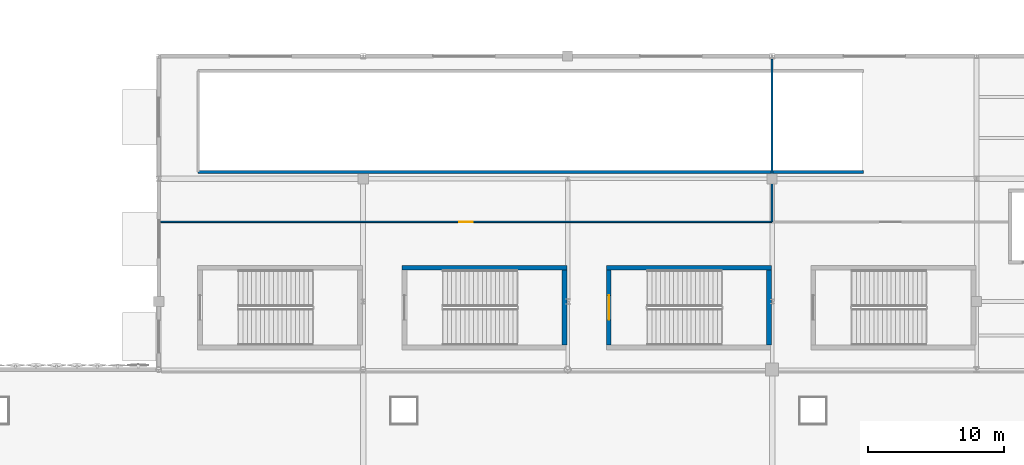
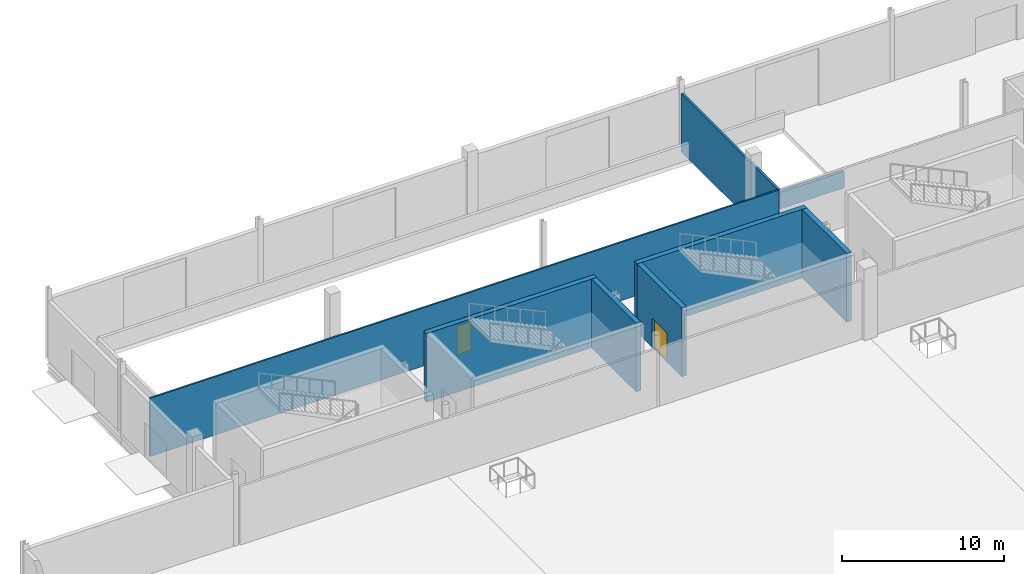
# One storey, part 56 of 94: 8 walls, 2 doors, 2 openings.
"""IFC4 building model written with IfcOpenShell, lengths in metres."""

from ifc_helpers import new_model, si_unit, direction, frame, frame_2d, origin, place, context, subcontext, project, spatial, rectangle, extrude, material, layer, layer_set, type_object, element, fill, save


model = new_model("IFC4")

# Units and contexts
model_context = context("Model", 3, precision=1e-05, world=origin(), true_north=direction((0.0, 1.0)))
body_context = subcontext(model_context, "Body", "Model", "MODEL_VIEW")
ifc_project = project(units=[si_unit("LENGTHUNIT", "METRE"), si_unit("AREAUNIT", "SQUARE_METRE"), si_unit("VOLUMEUNIT", "CUBIC_METRE"), si_unit("PLANEANGLEUNIT", "RADIAN"), si_unit("MASSUNIT", "GRAM", prefix="KILO")], contexts=[model_context])

# Site, building, storey
site_placement = place(None, origin())
site = spatial("IfcSite", under=ifc_project, at=site_placement, CompositionType="ELEMENT")
building_placement = place(site_placement, origin())
building = spatial("IfcBuilding", under=site, at=building_placement, Name="Qamarlyn Nura Convention Centre", CompositionType="ELEMENT")
storey_placement = place(building_placement, origin())
storey = spatial("IfcBuildingStorey", under=building, at=storey_placement, Name="L00", CompositionType="ELEMENT", Elevation=0.0)

# Walls
ifc_material_1 = material(Name="Concrete C50/60", Category="concrete")
ifc_layer_1 = layer(ifc_material_1, 0.35009765625, Name="WT-CORE-350")
ifc_layer_set_1 = layer_set([ifc_layer_1], Name="Concrete C50/60")
wall_type_1 = type_object("IfcWallType", Name="WT-CORE-350", PredefinedType="SHEAR", material=ifc_layer_set_1)
wall_1_placement = place(storey_placement, frame((44.949951171875, 110.47509765625, 0.0), z_axis=(0.0, 0.0, 1.0), x_axis=(-1.0, 0.0, 0.0)))
element("IfcWall", 1, at=wall_1_placement, inside=storey, type_object=wall_type_1, Name="L00 stair core shear wall ST-02-N", PredefinedType="SHEAR", context=body_context, shape_type="SweptSolid", body=[
    extrude(rectangle(XDim=12.099853515625, YDim=0.35009765625, at=frame_2d((6.0498046875, 0.0))), origin(), (0.0, 0.0, 1.0), 5.179931640625),
])
wall_2_placement = place(storey_placement, frame((44.77490234375, 104.800048828125, 0.0), z_axis=(0.0, 0.0, 1.0), x_axis=(0.0, 1.0, 0.0)))
element("IfcWall", 2, at=wall_2_placement, inside=storey, type_object=wall_type_1, Name="L00 stair core shear wall ST-02-E", PredefinedType="SHEAR", context=body_context, shape_type="SweptSolid", body=[
    extrude(rectangle(XDim=5.5, YDim=0.35009765625, at=frame_2d((2.75, 0.0))), origin(), (0.0, 0.0, 1.0), 5.179931640625),
])
wall_3_placement = place(storey_placement, frame((59.949951171875, 110.47509765625, 0.0), z_axis=(0.0, 0.0, 1.0), x_axis=(-1.0, 0.0, 0.0)))
element("IfcWall", 3, at=wall_3_placement, inside=storey, type_object=wall_type_1, Name="L00 stair core shear wall ST-03-N", PredefinedType="SHEAR", context=body_context, shape_type="SweptSolid", body=[
    extrude(rectangle(XDim=12.099853515625, YDim=0.35009765625, at=frame_2d((6.0498046875, 0.0))), origin(), (0.0, 0.0, 1.0), 5.179931640625),
])

# Wall, opening, door
wall_4_placement = place(storey_placement, frame((48.02490234375, 110.300048828125, 0.0), z_axis=(0.0, 0.0, 1.0), x_axis=(0.0, -1.0, 0.0)))
wall_4 = element("IfcWall", 4, at=wall_4_placement, inside=storey, type_object=wall_type_1, Name="L00 stair core shear wall ST-03-W", PredefinedType="SHEAR", context=body_context, shape_type="SweptSolid", body=[
    extrude(rectangle(XDim=5.5, YDim=0.35009765625, at=frame_2d((2.75, 0.0))), origin(), (0.0, 0.0, 1.0), 5.179931640625),
])
opening_1_placement = place(wall_4_placement, frame((1.85009765625, 0.0, 0.0)))
opening_1 = element("IfcOpeningElement", 5, at=opening_1_placement, cuts=wall_4, Name="Opening DS-008", PredefinedType="OPENING", context=body_context, shape_type="SweptSolid", body=[
    extrude(rectangle(XDim=1.800048828125, YDim=2.199951171875, at=frame_2d((0.89990234375, 1.10009765625))), frame((0.0, 0.18505859375, 0.0), z_axis=(0.0, -1.0, 0.0), x_axis=(1.0, 0.0, 0.0)), (0.0, 0.0, 1.0), 0.3701171875),
])
ifc_material_2 = material(Name="Galvanised fire-rated hollow steel door", Category="steel")
door_type_1 = type_object("IfcDoorType", Name="DR-STAIR-1800", OperationType="DOUBLE_DOOR_SINGLE_SWING", PredefinedType="DOOR", material=ifc_material_2)
door_1_placement = place(opening_1_placement, origin())
door_1 = element("IfcDoor", 6, at=door_1_placement, inside=storey, type_object=door_type_1, Name="L00 exit stair door ST-03 (DS-008)", OperationType="DOUBLE_DOOR_SINGLE_SWING", OverallHeight=2.199951171875, OverallWidth=1.800048828125, PredefinedType="DOOR", context=body_context, shape_type="SweptSolid", body=[
    extrude(rectangle(XDim=1.800048828125, YDim=2.199951171875, at=frame_2d((0.89990234375, 1.10009765625))), frame((0.0, 0.02490234375, 0.0), z_axis=(0.0, -1.0, 0.0), x_axis=(1.0, 0.0, 0.0)), (0.0, 0.0, 1.0), 0.050048828125),
])
fill(opening_1, door_1)

# Walls
wall_5_placement = place(storey_placement, frame((59.77490234375, 104.800048828125, 0.0), z_axis=(0.0, 0.0, 1.0), x_axis=(0.0, 1.0, 0.0)))
element("IfcWall", 7, at=wall_5_placement, inside=storey, type_object=wall_type_1, Name="L00 stair core shear wall ST-03-E", PredefinedType="SHEAR", context=body_context, shape_type="SweptSolid", body=[
    extrude(rectangle(XDim=5.5, YDim=0.35009765625, at=frame_2d((2.75, 0.0))), origin(), (0.0, 0.0, 1.0), 5.179931640625),
])
ifc_material_3 = material(Name="Concrete C40/50", Category="concrete")
ifc_layer_2 = layer(ifc_material_3, 0.205078125, Name="WT-PAR-205")
ifc_layer_set_2 = layer_set([ifc_layer_2], Name="Concrete C40/50")
wall_type_2 = type_object("IfcWallType", Name="WT-PAR-205", PredefinedType="PARAPET", material=ifc_layer_set_2)
wall_6_placement = place(storey_placement, frame((17.89990234375, 117.5, 0.0), z_axis=(0.0, 0.0, 1.0), x_axis=(1.0, 0.0, 0.0)))
element("IfcWall", 8, at=wall_6_placement, inside=storey, type_object=wall_type_2, Name="L00 car park ramp opening guard wall S", PredefinedType="PARAPET", context=body_context, shape_type="SweptSolid", body=[
    extrude(rectangle(XDim=48.800048828125, YDim=0.205078125, at=frame_2d((24.39990234375, 0.0))), origin(), (0.0, 0.0, 1.0), 1.25),
])

# Wall, opening, door
ifc_material_4 = material(Name="Acoustic double-stud gypsum partition")
ifc_layer_3 = layer(ifc_material_4, 0.1201171875, Name="WT-PART-120")
ifc_layer_set_3 = layer_set([ifc_layer_3], Name="Acoustic double-stud gypsum partition")
wall_type_3 = type_object("IfcWallType", Name="WT-PART-120", PredefinedType="PARTITIONING", material=ifc_layer_set_3)
wall_7_placement = place(storey_placement, frame((15.139892578125, 113.840087890625, 0.0), z_axis=(0.0, 0.0, 1.0), x_axis=(1.0, 0.0, 0.0)))
wall_7 = element("IfcWall", 9, at=wall_7_placement, inside=storey, type_object=wall_type_3, Name="L00 interior partition L00-SYD-DOCK-3-1", PredefinedType="PARTITIONING", context=body_context, shape_type="SweptSolid", body=[
    extrude(rectangle(XDim=44.820068359375, YDim=0.1201171875, at=frame_2d((22.41015625, 0.0))), origin(), (0.0, 0.0, 1.0), 4.39208984375),
])
opening_2_placement = place(wall_7_placement, frame((21.919921875, 0.0, 0.0)))
opening_2 = element("IfcOpeningElement", 10, at=opening_2_placement, cuts=wall_7, Name="Opening D-L00-153", PredefinedType="OPENING", context=body_context, shape_type="SweptSolid", body=[
    extrude(rectangle(XDim=0.97998046875, YDim=2.14990234375, at=frame_2d((0.489990234375, 1.074951171875))), frame((0.0, 0.070068359375, 0.0), z_axis=(0.0, -1.0, 0.0), x_axis=(1.0, 0.0, 0.0)), (0.0, 0.0, 1.0), 0.14013671875),
])
ifc_material_5 = material(Name="Acoustic walnut timber leaf", Category="wood")
door_type_2 = type_object("IfcDoorType", Name="DR-ROOM-0980", OperationType="NOTDEFINED", PredefinedType="DOOR", material=ifc_material_5)
door_2_placement = place(opening_2_placement, origin())
door_2 = element("IfcDoor", 11, at=door_2_placement, inside=storey, type_object=door_type_2, Name="L00 Service Yard and HGV Marshalling door D-L00-153", OperationType="SINGLE_SWING_RIGHT", OverallHeight=2.14990234375, OverallWidth=0.97998046875, PredefinedType="DOOR", context=body_context, shape_type="SweptSolid", body=[
    extrude(rectangle(XDim=0.97998046875, YDim=2.14990234375, at=frame_2d((0.489990234375, 1.074951171875))), frame((0.0, 0.02490234375, 0.0), z_axis=(0.0, -1.0, 0.0), x_axis=(1.0, 0.0, 0.0)), (0.0, 0.0, 1.0), 0.050048828125),
])
fill(opening_2, door_2)

# Wall
ifc_material_6 = material(Name="Fire-rated acoustic gypsum board EI 60")
ifc_layer_4 = layer(ifc_material_6, 0.159912109375, Name="WT-PART-160")
ifc_layer_set_4 = layer_set([ifc_layer_4], Name="Fire-rated acoustic gypsum board EI 60")
wall_type_4 = type_object("IfcWallType", Name="WT-PART-160", PredefinedType="PARTITIONING", material=ifc_layer_set_4)
wall_8_placement = place(storey_placement, frame((60.0, 113.840087890625, 0.0), z_axis=(0.0, 0.0, 1.0), x_axis=(0.0, 1.0, 0.0)))
element("IfcWall", 12, at=wall_8_placement, inside=storey, type_object=wall_type_4, Name="L00 interior partition L00-STR-HALL-40-1", PredefinedType="PARTITIONING", context=body_context, shape_type="SweptSolid", body=[
    extrude(rectangle(XDim=11.949951171875, YDim=0.159912109375, at=frame_2d((5.97509765625, 0.0))), origin(), (0.0, 0.0, 1.0), 4.39208984375),
])

save(model, "model.ifc")
